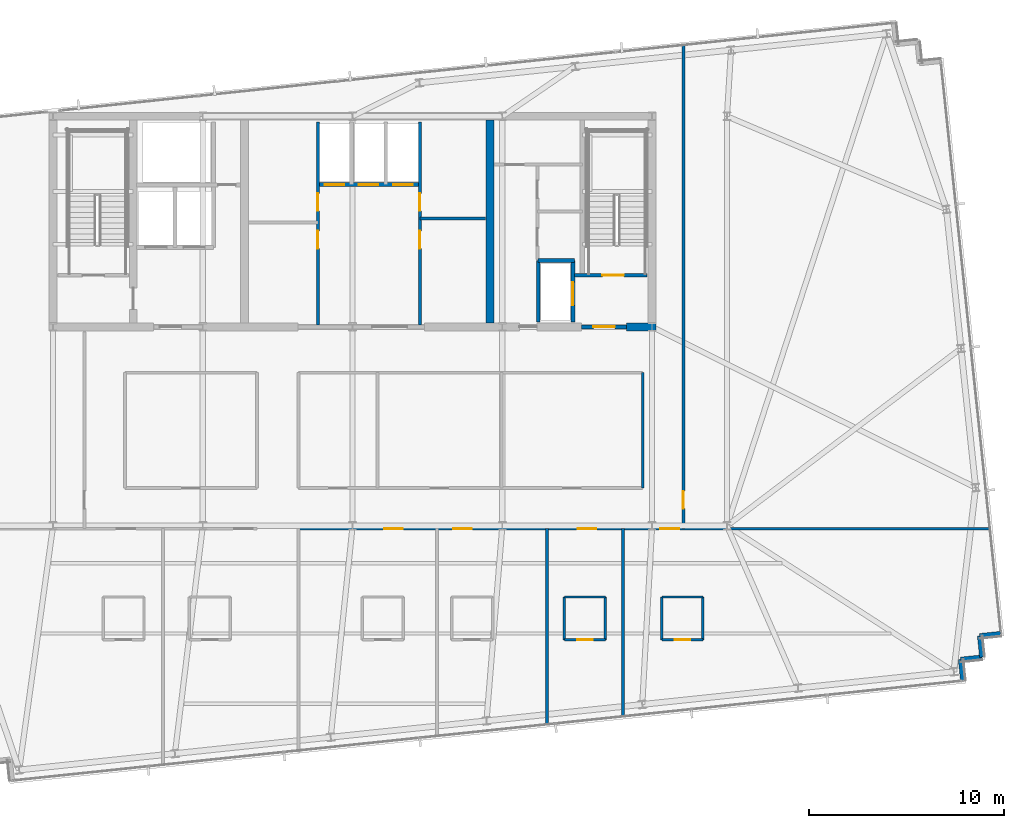
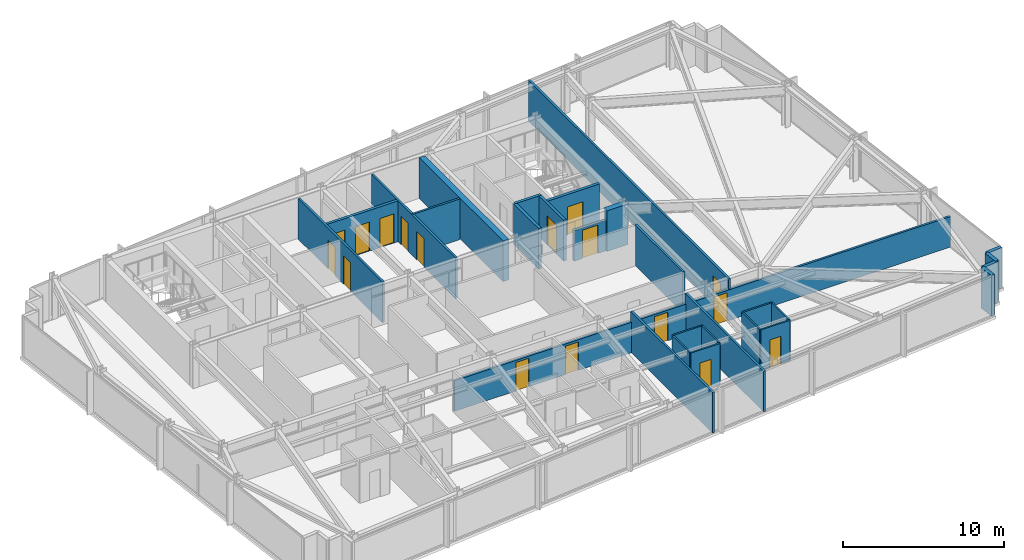
# One storey, part 28 of 33: 28 walls, 17 doors, 17 openings.
"""IFC4 building model written with IfcOpenShell, lengths in metres."""

from ifc_helpers import new_model, si_unit, direction, frame, frame_2d, origin, place, context, subcontext, project, spatial, rectangle, extrude, material, layer, layer_set, type_object, element, fill, save


model = new_model("IFC4")

# Units and contexts
model_context = context("Model", 3, precision=1e-05, world=origin(), true_north=direction((0.0, 1.0)))
body_context = subcontext(model_context, "Body", "Model", "MODEL_VIEW")
ifc_project = project(units=[si_unit("LENGTHUNIT", "METRE"), si_unit("AREAUNIT", "SQUARE_METRE"), si_unit("VOLUMEUNIT", "CUBIC_METRE"), si_unit("PLANEANGLEUNIT", "RADIAN"), si_unit("MASSUNIT", "GRAM", prefix="KILO")], contexts=[model_context])

# Site, building, storey
site_placement = place(None, origin())
site = spatial("IfcSite", under=ifc_project, at=site_placement, CompositionType="ELEMENT")
building_placement = place(site_placement, origin())
building = spatial("IfcBuilding", under=site, at=building_placement, Name="Yelkora Congress Tower", CompositionType="ELEMENT")
storey_placement = place(building_placement, frame((0.0, 0.0, 240.800048828125)))
storey = spatial("IfcBuildingStorey", under=building, at=storey_placement, Name="L67", CompositionType="ELEMENT", Elevation=240.800048828125)

# Walls
ifc_material_1 = material(Name="Concrete C50/60", Category="concrete")
ifc_layer_1 = layer(ifc_material_1, 0.39990234375)
ifc_layer_set_1 = layer_set([ifc_layer_1], Name="Concrete C50/60")
wall_type_1 = type_object("IfcWallType", Name="WALL-CORE-INT-400", PredefinedType="SHEAR", material=ifc_layer_set_1)
wall_1_placement = place(storey_placement, frame((52.449951171875, 35.39990234375, 0.0), z_axis=(0.0, 0.0, 1.0), x_axis=(1.0, 0.0, 0.0)))
element("IfcWall", 1, at=wall_1_placement, inside=storey, type_object=wall_type_1, Name="L67 Rear Core South-East Shear Wall B", PredefinedType="SHEAR", context=body_context, shape_type="SweptSolid", body=[
    extrude(rectangle(XDim=1.510009765625, YDim=0.39990234375, at=frame_2d((0.7548828125, 0.0))), origin(), (0.0, 0.0, 1.0), 3.079833984375),
])
wall_2_placement = place(storey_placement, frame((45.449951171875, 35.60009765625, 0.0), z_axis=(0.0, 0.0, 1.0), x_axis=(0.0, 1.0, 0.0)))
element("IfcWall", 2, at=wall_2_placement, inside=storey, type_object=wall_type_1, Name="L67 Rear Core Cross Shear Wall C3", PredefinedType="SHEAR", context=body_context, shape_type="SweptSolid", body=[
    extrude(rectangle(XDim=10.39990234375, YDim=0.39990234375, at=frame_2d((5.199951171875, 0.0))), origin(), (0.0, 0.0, 1.0), 3.079833984375),
])
ifc_material_2 = material(Name="Concrete C40/50", Category="concrete")
ifc_layer_2 = layer(ifc_material_2, 0.239990234375)
ifc_layer_set_2 = layer_set([ifc_layer_2], Name="Concrete C40/50")
wall_type_2 = type_object("IfcWallType", Name="WALL-EXT-LIMESTONE-240", PredefinedType="SOLIDWALL", material=ifc_layer_set_2)
for number, where, z_axis, x_axis, name in (
    (3, (71.654052734375, 19.67041015625, 0.0), (0.0, 0.0, 1.0), (-0.994521251134, -0.104534592565, 0.0), "L67 Serrated Corner Limestone Pier 16"),
    (4, (70.56005859375, 19.555419921875, 0.0), (0.0, 0.0, 1.0), (0.104534592565, -0.994521251134, 0.0), "L67 Serrated Corner Limestone Pier 17"),
    (5, (70.675048828125, 18.46142578125, 0.0), (0.0, 0.0, 1.0), (-0.994521251134, -0.104534592565, 0.0), "L67 Serrated Corner Limestone Pier 18"),
    (6, (69.5810546875, 18.346435546875, 0.0), (0.0, 0.0, 1.0), (0.104534592565, -0.994521251134, 0.0), "L67 Serrated Corner Limestone Pier 19"),
):
    element("IfcWall", number, at=place(storey_placement, frame(where, z_axis=z_axis, x_axis=x_axis)), inside=storey, type_object=wall_type_2, Name=name, PredefinedType="SOLIDWALL", context=body_context, shape_type="SweptSolid", body=[
        extrude(rectangle(XDim=1.10009765625, YDim=0.239990234375, at=frame_2d((0.550048828125, 0.0))), origin(), (0.0, 0.0, 1.0), 3.079833984375),
    ])
ifc_material_3 = material(Name="Moisture-resistant gypsum partition", Category="gypsum")
ifc_layer_3 = layer(ifc_material_3, 0.1201171875)
ifc_layer_set_3 = layer_set([ifc_layer_3], Name="Moisture-resistant gypsum partition")
wall_type_3 = type_object("IfcWallType", Name="WALL-INT-120-NR", PredefinedType="PARTITIONING", material=ifc_layer_set_3)
wall_3_placement = place(storey_placement, frame((49.261962890625, 21.550048828125, 0.0), z_axis=(0.0, 0.0, 1.0), x_axis=(1.0, 0.0, 0.0)))
element("IfcWall", 7, at=wall_3_placement, inside=storey, type_object=wall_type_3, Name="L67 Partition Wall 42", PredefinedType="PARTITIONING", context=body_context, shape_type="SweptSolid", body=[
    extrude(rectangle(XDim=2.10009765625, YDim=0.1201171875, at=frame_2d((1.050048828125, 0.0))), origin(), (0.0, 0.0, 1.0), 3.079833984375),
])
for number, where, z_axis, x_axis, name in (
    (8, (49.261962890625, 19.35009765625, 0.0), (0.0, 0.0, 1.0), (0.0, 1.0, 0.0), "L67 Partition Wall 43"),
    (9, (51.362060546875, 19.35009765625, 0.0), (0.0, 0.0, 1.0), (0.0, 1.0, 0.0), "L67 Partition Wall 44"),
):
    element("IfcWall", number, at=place(storey_placement, frame(where, z_axis=z_axis, x_axis=x_axis)), inside=storey, type_object=wall_type_3, Name=name, PredefinedType="PARTITIONING", context=body_context, shape_type="SweptSolid", body=[
        extrude(rectangle(XDim=2.199951171875, YDim=0.1201171875, at=frame_2d((1.10009765625, 0.0))), origin(), (0.0, 0.0, 1.0), 3.079833984375),
    ])

# Wall, opening, door
wall_4_placement = place(storey_placement, frame((49.261962890625, 19.35009765625, 0.0), z_axis=(0.0, 0.0, 1.0), x_axis=(1.0, 0.0, 0.0)))
wall_4 = element("IfcWall", 10, at=wall_4_placement, inside=storey, type_object=wall_type_3, Name="L67 Partition Wall 45", PredefinedType="PARTITIONING", context=body_context, shape_type="SweptSolid", body=[
    extrude(rectangle(XDim=2.10009765625, YDim=0.1201171875, at=frame_2d((1.050048828125, 0.0))), origin(), (0.0, 0.0, 1.0), 3.079833984375),
])
opening_1_placement = place(wall_4_placement, frame((0.64990234375, 0.0, 0.0)))
opening_1 = element("IfcOpeningElement", 11, at=opening_1_placement, cuts=wall_4, Name="Opening DR-080B", PredefinedType="OPENING", context=body_context, shape_type="SweptSolid", body=[
    extrude(rectangle(XDim=0.800048828125, YDim=2.10009765625, at=frame_2d((0.39990234375, 1.050048828125))), frame((0.0, 0.070068359375, 0.0), z_axis=(0.0, -1.0, 0.0), x_axis=(1.0, 0.0, 0.0)), (0.0, 0.0, 1.0), 0.14013671875),
])
ifc_material_4 = material(Name="Moisture-sealed en-suite timber door", Category="wood")
door_type_1 = type_object("IfcDoorType", Name="DOOR-BATH-800", OperationType="NOTDEFINED", PredefinedType="DOOR", material=ifc_material_4)
door_1_placement = place(opening_1_placement, origin())
door_1 = element("IfcDoor", 12, at=door_1_placement, inside=storey, type_object=door_type_1, Name="L67 En-suite Door 6", OperationType="SINGLE_SWING_RIGHT", OverallHeight=2.10009765625, OverallWidth=0.800048828125, PredefinedType="DOOR", context=body_context, shape_type="SweptSolid", body=[
    extrude(rectangle(XDim=0.800048828125, YDim=2.10009765625, at=frame_2d((0.39990234375, 1.050048828125))), frame((0.0, 0.02490234375, 0.0), z_axis=(0.0, -1.0, 0.0), x_axis=(1.0, 0.0, 0.0)), (0.0, 0.0, 1.0), 0.050048828125),
])
fill(opening_1, door_1)

# Walls
wall_5_placement = place(storey_placement, frame((54.260009765625, 21.550048828125, 0.0), z_axis=(0.0, 0.0, 1.0), x_axis=(1.0, 0.0, 0.0)))
element("IfcWall", 13, at=wall_5_placement, inside=storey, type_object=wall_type_3, Name="L67 Partition Wall 47", PredefinedType="PARTITIONING", context=body_context, shape_type="SweptSolid", body=[
    extrude(rectangle(XDim=2.10009765625, YDim=0.1201171875, at=frame_2d((1.050048828125, 0.0))), origin(), (0.0, 0.0, 1.0), 3.079833984375),
])
for number, where, z_axis, x_axis, name in (
    (14, (54.260009765625, 19.35009765625, 0.0), (0.0, 0.0, 1.0), (0.0, 1.0, 0.0), "L67 Partition Wall 48"),
    (15, (56.360107421875, 19.35009765625, 0.0), (0.0, 0.0, 1.0), (0.0, 1.0, 0.0), "L67 Partition Wall 49"),
):
    element("IfcWall", number, at=place(storey_placement, frame(where, z_axis=z_axis, x_axis=x_axis)), inside=storey, type_object=wall_type_3, Name=name, PredefinedType="PARTITIONING", context=body_context, shape_type="SweptSolid", body=[
        extrude(rectangle(XDim=2.199951171875, YDim=0.1201171875, at=frame_2d((1.10009765625, 0.0))), origin(), (0.0, 0.0, 1.0), 3.079833984375),
    ])

# Wall, opening, door
wall_6_placement = place(storey_placement, frame((54.260009765625, 19.35009765625, 0.0), z_axis=(0.0, 0.0, 1.0), x_axis=(1.0, 0.0, 0.0)))
wall_6 = element("IfcWall", 16, at=wall_6_placement, inside=storey, type_object=wall_type_3, Name="L67 Partition Wall 50", PredefinedType="PARTITIONING", context=body_context, shape_type="SweptSolid", body=[
    extrude(rectangle(XDim=2.10009765625, YDim=0.1201171875, at=frame_2d((1.050048828125, 0.0))), origin(), (0.0, 0.0, 1.0), 3.079833984375),
])
opening_2_placement = place(wall_6_placement, frame((0.64990234375, 0.0, 0.0)))
opening_2 = element("IfcOpeningElement", 17, at=opening_2_placement, cuts=wall_6, Name="Opening DR-080B", PredefinedType="OPENING", context=body_context, shape_type="SweptSolid", body=[
    extrude(rectangle(XDim=0.800048828125, YDim=2.10009765625, at=frame_2d((0.39990234375, 1.050048828125))), frame((0.0, 0.070068359375, 0.0), z_axis=(0.0, -1.0, 0.0), x_axis=(1.0, 0.0, 0.0)), (0.0, 0.0, 1.0), 0.14013671875),
])
door_2_placement = place(opening_2_placement, origin())
door_2 = element("IfcDoor", 18, at=door_2_placement, inside=storey, type_object=door_type_1, Name="L67 En-suite Door 7", OperationType="SINGLE_SWING_LEFT", OverallHeight=2.10009765625, OverallWidth=0.800048828125, PredefinedType="DOOR", context=body_context, shape_type="SweptSolid", body=[
    extrude(rectangle(XDim=0.800048828125, YDim=2.10009765625, at=frame_2d((0.39990234375, 1.050048828125))), frame((0.0, 0.02490234375, 0.0), z_axis=(0.0, -1.0, 0.0), x_axis=(1.0, 0.0, 0.0)), (0.0, 0.0, 1.0), 0.050048828125),
])
fill(opening_2, door_2)

ifc_material_5 = material(Name="Acoustic metal-stud gypsum partition", Category="gypsum")
ifc_layer_4 = layer(ifc_material_5, 0.14990234375)
ifc_layer_set_4 = layer_set([ifc_layer_4], Name="Acoustic metal-stud gypsum partition")
wall_type_4 = type_object("IfcWallType", Name="WALL-INT-150-NR", PredefinedType="PARTITIONING", material=ifc_layer_set_4)
wall_7_placement = place(storey_placement, frame((55.360107421875, 25.050048828125, 0.0), z_axis=(0.0, 0.0, 1.0), x_axis=(0.0, 1.0, 0.0)))
wall_7 = element("IfcWall", 19, at=wall_7_placement, inside=storey, type_object=wall_type_4, Name="L67 Partition Wall 55", PredefinedType="PARTITIONING", context=body_context, shape_type="SweptSolid", body=[
    extrude(rectangle(XDim=24.86279296875, YDim=0.14990234375, at=frame_2d((12.431396484375, 0.0))), origin(), (0.0, 0.0, 1.0), 3.079833984375),
])
opening_3_placement = place(wall_7_placement, frame((1.030029296875, 0.0, 0.0)))
opening_3 = element("IfcOpeningElement", 20, at=opening_3_placement, cuts=wall_7, Name="Opening DR-090N", PredefinedType="OPENING", context=body_context, shape_type="SweptSolid", body=[
    extrude(rectangle(XDim=0.89990234375, YDim=2.14990234375, at=frame_2d((0.449951171875, 1.074951171875))), frame((0.0, 0.0849609375, 0.0), z_axis=(0.0, -1.0, 0.0), x_axis=(1.0, 0.0, 0.0)), (0.0, 0.0, 1.0), 0.169921875),
])
ifc_material_6 = material(Name="Moisture-resistant laminate door leaf", Category="wood")
door_type_2 = type_object("IfcDoorType", Name="DOOR-INT-900", OperationType="NOTDEFINED", PredefinedType="DOOR", material=ifc_material_6)
door_3_placement = place(opening_3_placement, origin())
door_3 = element("IfcDoor", 21, at=door_3_placement, inside=storey, type_object=door_type_2, Name="L67 E Wing Door", OperationType="SINGLE_SWING_LEFT", OverallHeight=2.14990234375, OverallWidth=0.89990234375, PredefinedType="DOOR", context=body_context, shape_type="SweptSolid", body=[
    extrude(rectangle(XDim=0.89990234375, YDim=2.14990234375, at=frame_2d((0.449951171875, 1.074951171875))), frame((0.0, 0.02490234375, 0.0), z_axis=(0.0, -1.0, 0.0), x_axis=(1.0, 0.0, 0.0)), (0.0, 0.0, 1.0), 0.050048828125),
])
fill(opening_3, door_3)

# Wall
wall_8_placement = place(storey_placement, frame((53.280029296875, 27.1298828125, 0.0), z_axis=(0.0, 0.0, 1.0), x_axis=(0.0, 1.0, 0.0)))
element("IfcWall", 22, at=wall_8_placement, inside=storey, type_object=wall_type_4, Name="L67 Partition Wall 57", PredefinedType="PARTITIONING", context=body_context, shape_type="SweptSolid", body=[
    extrude(rectangle(XDim=5.920166015625, YDim=0.14990234375, at=frame_2d((2.9599609375, 0.0))), origin(), (0.0, 0.0, 1.0), 3.079833984375),
])

# Wall, openings, doors
ifc_material_7 = material(Name="Twin-stud fire-rated gypsum partition", Category="gypsum")
ifc_layer_5 = layer(ifc_material_7, 0.14990234375)
ifc_layer_set_5 = layer_set([ifc_layer_5], Name="Twin-stud fire-rated gypsum partition")
wall_type_5 = type_object("IfcWallType", Name="WALL-INT-150-R60", PredefinedType="PARTITIONING", material=ifc_layer_set_5)
wall_9_placement = place(storey_placement, frame((36.6201171875, 35.5, 0.0), z_axis=(0.0, 0.0, 1.0), x_axis=(0.0, 1.0, 0.0)))
wall_9 = element("IfcWall", 23, at=wall_9_placement, inside=storey, type_object=wall_type_5, Name="L67 Partition Wall 12", PredefinedType="PARTITIONING", context=body_context, shape_type="SweptSolid", body=[
    extrude(rectangle(XDim=10.419921875, YDim=0.14990234375, at=frame_2d((5.2099609375, 0.0))), origin(), (0.0, 0.0, 1.0), 3.079833984375),
])
opening_4_placement = place(wall_9_placement, frame((3.919921875, 0.0, 0.0)))
opening_4 = element("IfcOpeningElement", 24, at=opening_4_placement, cuts=wall_9, Name="Opening DR-090F6", PredefinedType="OPENING", context=body_context, shape_type="SweptSolid", body=[
    extrude(rectangle(XDim=0.89990234375, YDim=2.14990234375, at=frame_2d((0.449951171875, 1.074951171875))), frame((0.0, 0.0849609375, 0.0), z_axis=(0.0, -1.0, 0.0), x_axis=(1.0, 0.0, 0.0)), (0.0, 0.0, 1.0), 0.169921875),
])
opening_5_placement = place(wall_9_placement, frame((5.85009765625, 0.0, 0.0)))
opening_5 = element("IfcOpeningElement", 25, at=opening_5_placement, cuts=wall_9, Name="Opening DR-090F6", PredefinedType="OPENING", context=body_context, shape_type="SweptSolid", body=[
    extrude(rectangle(XDim=0.89990234375, YDim=2.14990234375, at=frame_2d((0.449951171875, 1.074951171875))), frame((0.0, 0.0849609375, 0.0), z_axis=(0.0, -1.0, 0.0), x_axis=(1.0, 0.0, 0.0)), (0.0, 0.0, 1.0), 0.169921875),
])
ifc_material_8 = material(Name="Painted steel riser fire door leaf", Category="steel")
door_type_3 = type_object("IfcDoorType", Name="DOOR-FD60-900", OperationType="NOTDEFINED", PredefinedType="DOOR", material=ifc_material_8)
door_4_placement = place(opening_4_placement, origin())
door_4 = element("IfcDoor", 26, at=door_4_placement, inside=storey, type_object=door_type_3, Name="L67 Telecom Store Door", OperationType="SINGLE_SWING_RIGHT", OverallHeight=2.14990234375, OverallWidth=0.89990234375, PredefinedType="DOOR", context=body_context, shape_type="SweptSolid", body=[
    extrude(rectangle(XDim=0.89990234375, YDim=2.14990234375, at=frame_2d((0.449951171875, 1.074951171875))), frame((0.0, 0.02490234375, 0.0), z_axis=(0.0, -1.0, 0.0), x_axis=(1.0, 0.0, 0.0)), (0.0, 0.0, 1.0), 0.050048828125),
])
fill(opening_4, door_4)
door_5_placement = place(opening_5_placement, origin())
door_5 = element("IfcDoor", 27, at=door_5_placement, inside=storey, type_object=door_type_3, Name="L67 Archive Store Door", OperationType="SINGLE_SWING_LEFT", OverallHeight=2.14990234375, OverallWidth=0.89990234375, PredefinedType="DOOR", context=body_context, shape_type="SweptSolid", body=[
    extrude(rectangle(XDim=0.89990234375, YDim=2.14990234375, at=frame_2d((0.449951171875, 1.074951171875))), frame((0.0, 0.02490234375, 0.0), z_axis=(0.0, -1.0, 0.0), x_axis=(1.0, 0.0, 0.0)), (0.0, 0.0, 1.0), 0.050048828125),
])
fill(opening_5, door_5)

# Wall
wall_10_placement = place(storey_placement, frame((41.85009765625, 40.949951171875, 0.0), z_axis=(0.0, 0.0, 1.0), x_axis=(1.0, 0.0, 0.0)))
element("IfcWall", 28, at=wall_10_placement, inside=storey, type_object=wall_type_5, Name="L67 Partition Wall 13", PredefinedType="PARTITIONING", context=body_context, shape_type="SweptSolid", body=[
    extrude(rectangle(XDim=3.369873046875, YDim=0.14990234375, at=frame_2d((1.68505859375, 0.0))), origin(), (0.0, 0.0, 1.0), 3.079833984375),
])

# Wall, openings, doors
wall_11_placement = place(storey_placement, frame((41.85009765625, 35.5, 0.0), z_axis=(0.0, 0.0, 1.0), x_axis=(0.0, 1.0, 0.0)))
wall_11 = element("IfcWall", 29, at=wall_11_placement, inside=storey, type_object=wall_type_5, Name="L67 Partition Wall 14", PredefinedType="PARTITIONING", context=body_context, shape_type="SweptSolid", body=[
    extrude(rectangle(XDim=10.419921875, YDim=0.14990234375, at=frame_2d((5.2099609375, 0.0))), origin(), (0.0, 0.0, 1.0), 3.079833984375),
])
opening_6_placement = place(wall_11_placement, frame((3.919921875, 0.0, 0.0)))
opening_6 = element("IfcOpeningElement", 30, at=opening_6_placement, cuts=wall_11, Name="Opening DR-090F6", PredefinedType="OPENING", context=body_context, shape_type="SweptSolid", body=[
    extrude(rectangle(XDim=0.89990234375, YDim=2.14990234375, at=frame_2d((0.449951171875, 1.074951171875))), frame((0.0, 0.0849609375, 0.0), z_axis=(0.0, -1.0, 0.0), x_axis=(1.0, 0.0, 0.0)), (0.0, 0.0, 1.0), 0.169921875),
])
opening_7_placement = place(wall_11_placement, frame((5.85009765625, 0.0, 0.0)))
opening_7 = element("IfcOpeningElement", 31, at=opening_7_placement, cuts=wall_11, Name="Opening DR-090F6", PredefinedType="OPENING", context=body_context, shape_type="SweptSolid", body=[
    extrude(rectangle(XDim=0.89990234375, YDim=2.14990234375, at=frame_2d((0.449951171875, 1.074951171875))), frame((0.0, 0.0849609375, 0.0), z_axis=(0.0, -1.0, 0.0), x_axis=(1.0, 0.0, 0.0)), (0.0, 0.0, 1.0), 0.169921875),
])
door_6_placement = place(opening_6_placement, origin())
door_6 = element("IfcDoor", 32, at=door_6_placement, inside=storey, type_object=door_type_3, Name="L67 High-Zone BMS Door", OperationType="SINGLE_SWING_RIGHT", OverallHeight=2.14990234375, OverallWidth=0.89990234375, PredefinedType="DOOR", context=body_context, shape_type="SweptSolid", body=[
    extrude(rectangle(XDim=0.89990234375, YDim=2.14990234375, at=frame_2d((0.449951171875, 1.074951171875))), frame((0.0, 0.02490234375, 0.0), z_axis=(0.0, -1.0, 0.0), x_axis=(1.0, 0.0, 0.0)), (0.0, 0.0, 1.0), 0.050048828125),
])
fill(opening_6, door_6)
door_7_placement = place(opening_7_placement, origin())
door_7 = element("IfcDoor", 33, at=door_7_placement, inside=storey, type_object=door_type_3, Name="L67 Linen Store Door", OperationType="SINGLE_SWING_LEFT", OverallHeight=2.14990234375, OverallWidth=0.89990234375, PredefinedType="DOOR", context=body_context, shape_type="SweptSolid", body=[
    extrude(rectangle(XDim=0.89990234375, YDim=2.14990234375, at=frame_2d((0.449951171875, 1.074951171875))), frame((0.0, 0.02490234375, 0.0), z_axis=(0.0, -1.0, 0.0), x_axis=(1.0, 0.0, 0.0)), (0.0, 0.0, 1.0), 0.050048828125),
])
fill(opening_7, door_7)

# Walls
wall_12_placement = place(storey_placement, frame((48.363037109375, 14.949951171875, 0.0), z_axis=(0.0, 0.0, 1.0), x_axis=(0.0, 1.0, 0.0)))
element("IfcWall", 34, at=wall_12_placement, inside=storey, type_object=wall_type_5, Name="L67 Partition Wall 46", PredefinedType="PARTITIONING", context=body_context, shape_type="SweptSolid", body=[
    extrude(rectangle(XDim=10.1201171875, YDim=0.14990234375, at=frame_2d((5.06005859375, 0.0))), origin(), (0.0, 0.0, 1.0), 3.079833984375),
])
wall_13_placement = place(storey_placement, frame((52.260986328125, 15.359619140625, 0.0), z_axis=(0.0, 0.0, 1.0), x_axis=(0.0, 1.0, 0.0)))
element("IfcWall", 35, at=wall_13_placement, inside=storey, type_object=wall_type_5, Name="L67 Partition Wall 51", PredefinedType="PARTITIONING", context=body_context, shape_type="SweptSolid", body=[
    extrude(rectangle(XDim=9.71044921875, YDim=0.14990234375, at=frame_2d((4.855224609375, 0.0))), origin(), (0.0, 0.0, 1.0), 3.079833984375),
])

# Wall, openings, doors
wall_14_placement = place(storey_placement, frame((35.6201171875, 25.050048828125, 0.0), z_axis=(0.0, 0.0, 1.0), x_axis=(1.0, 0.0, 0.0)))
wall_14 = element("IfcWall", 36, at=wall_14_placement, inside=storey, type_object=wall_type_5, Name="L67 South Spine Wall East", PredefinedType="PARTITIONING", context=body_context, shape_type="SweptSolid", body=[
    extrude(rectangle(XDim=35.52880859375, YDim=0.14990234375, at=frame_2d((17.764404296875, 0.0))), origin(), (0.0, 0.0, 1.0), 2.31298828125),
])
opening_8_placement = place(wall_14_placement, frame((4.3994140625, 0.0, 0.0)))
opening_8 = element("IfcOpeningElement", 37, at=opening_8_placement, cuts=wall_14, Name="Opening DR-095F6", PredefinedType="OPENING", context=body_context, shape_type="SweptSolid", body=[
    extrude(rectangle(XDim=0.949951171875, YDim=2.14990234375, at=frame_2d((0.47509765625, 1.074951171875))), frame((0.0, 0.0849609375, 0.0), z_axis=(0.0, -1.0, 0.0), x_axis=(1.0, 0.0, 0.0)), (0.0, 0.0, 1.0), 0.169921875),
])
opening_9_placement = place(wall_14_placement, frame((7.93701171875, 0.0, 0.0)))
opening_9 = element("IfcOpeningElement", 38, at=opening_9_placement, cuts=wall_14, Name="Opening DR-095F6", PredefinedType="OPENING", context=body_context, shape_type="SweptSolid", body=[
    extrude(rectangle(XDim=0.949951171875, YDim=2.14990234375, at=frame_2d((0.47509765625, 1.074951171875))), frame((0.0, 0.0849609375, 0.0), z_axis=(0.0, -1.0, 0.0), x_axis=(1.0, 0.0, 0.0)), (0.0, 0.0, 1.0), 0.169921875),
])
opening_10_placement = place(wall_14_placement, frame((14.33203125, 0.0, 0.0)))
opening_10 = element("IfcOpeningElement", 39, at=opening_10_placement, cuts=wall_14, Name="Opening DR-095F6", PredefinedType="OPENING", context=body_context, shape_type="SweptSolid", body=[
    extrude(rectangle(XDim=0.949951171875, YDim=2.14990234375, at=frame_2d((0.47509765625, 1.074951171875))), frame((0.0, 0.0849609375, 0.0), z_axis=(0.0, -1.0, 0.0), x_axis=(1.0, 0.0, 0.0)), (0.0, 0.0, 1.0), 0.169921875),
])
opening_11_placement = place(wall_14_placement, frame((18.570068359375, 0.0, 0.0)))
opening_11 = element("IfcOpeningElement", 40, at=opening_11_placement, cuts=wall_14, Name="Opening DR-095F6", PredefinedType="OPENING", context=body_context, shape_type="SweptSolid", body=[
    extrude(rectangle(XDim=0.949951171875, YDim=2.14990234375, at=frame_2d((0.47509765625, 1.074951171875))), frame((0.0, 0.0849609375, 0.0), z_axis=(0.0, -1.0, 0.0), x_axis=(1.0, 0.0, 0.0)), (0.0, 0.0, 1.0), 0.169921875),
])
ifc_material_9 = material(Name="Acoustic oak-veneer fire door leaf", Category="wood")
door_type_4 = type_object("IfcDoorType", Name="DOOR-FD60-950", OperationType="NOTDEFINED", PredefinedType="DOOR", material=ifc_material_9)
door_8_placement = place(opening_8_placement, origin())
door_8 = element("IfcDoor", 41, at=door_8_placement, inside=storey, type_object=door_type_4, Name="L67 Diplomatic Suite 04 Entry Door", OperationType="SINGLE_SWING_RIGHT", OverallHeight=2.14990234375, OverallWidth=0.949951171875, PredefinedType="DOOR", context=body_context, shape_type="SweptSolid", body=[
    extrude(rectangle(XDim=0.949951171875, YDim=2.14990234375, at=frame_2d((0.47509765625, 1.074951171875))), frame((0.0, 0.02490234375, 0.0), z_axis=(0.0, -1.0, 0.0), x_axis=(1.0, 0.0, 0.0)), (0.0, 0.0, 1.0), 0.050048828125),
])
fill(opening_8, door_8)
door_9_placement = place(opening_9_placement, origin())
door_9 = element("IfcDoor", 42, at=door_9_placement, inside=storey, type_object=door_type_4, Name="L67 Diplomatic Suite 05 Entry Door", OperationType="SINGLE_SWING_LEFT", OverallHeight=2.14990234375, OverallWidth=0.949951171875, PredefinedType="DOOR", context=body_context, shape_type="SweptSolid", body=[
    extrude(rectangle(XDim=0.949951171875, YDim=2.14990234375, at=frame_2d((0.47509765625, 1.074951171875))), frame((0.0, 0.02490234375, 0.0), z_axis=(0.0, -1.0, 0.0), x_axis=(1.0, 0.0, 0.0)), (0.0, 0.0, 1.0), 0.050048828125),
])
fill(opening_9, door_9)
door_10_placement = place(opening_10_placement, origin())
door_10 = element("IfcDoor", 43, at=door_10_placement, inside=storey, type_object=door_type_4, Name="L67 Diplomatic Suite 06 Entry Door", OperationType="SINGLE_SWING_RIGHT", OverallHeight=2.14990234375, OverallWidth=0.949951171875, PredefinedType="DOOR", context=body_context, shape_type="SweptSolid", body=[
    extrude(rectangle(XDim=0.949951171875, YDim=2.14990234375, at=frame_2d((0.47509765625, 1.074951171875))), frame((0.0, 0.02490234375, 0.0), z_axis=(0.0, -1.0, 0.0), x_axis=(1.0, 0.0, 0.0)), (0.0, 0.0, 1.0), 0.050048828125),
])
fill(opening_10, door_10)
door_11_placement = place(opening_11_placement, origin())
door_11 = element("IfcDoor", 44, at=door_11_placement, inside=storey, type_object=door_type_4, Name="L67 Diplomatic Suite 07 Entry Door", OperationType="SINGLE_SWING_LEFT", OverallHeight=2.14990234375, OverallWidth=0.949951171875, PredefinedType="DOOR", context=body_context, shape_type="SweptSolid", body=[
    extrude(rectangle(XDim=0.949951171875, YDim=2.14990234375, at=frame_2d((0.47509765625, 1.074951171875))), frame((0.0, 0.02490234375, 0.0), z_axis=(0.0, -1.0, 0.0), x_axis=(1.0, 0.0, 0.0)), (0.0, 0.0, 1.0), 0.050048828125),
])
fill(opening_11, door_11)

ifc_material_10 = material(Name="Autoclaved aerated concrete blockwork", Category="masonry")
ifc_layer_6 = layer(ifc_material_10, 0.199951171875)
ifc_layer_set_6 = layer_set([ifc_layer_6], Name="Autoclaved aerated concrete blockwork")
wall_type_6 = type_object("IfcWallType", Name="WALL-INT-200-R120", PredefinedType="PARTITIONING", material=ifc_layer_set_6)
wall_15_placement = place(storey_placement, frame((36.60009765625, 42.699951171875, 0.0), z_axis=(0.0, 0.0, 1.0), x_axis=(1.0, 0.0, 0.0)))
wall_15 = element("IfcWall", 45, at=wall_15_placement, inside=storey, type_object=wall_type_6, Name="L67 Partition Wall 8", PredefinedType="PARTITIONING", context=body_context, shape_type="SweptSolid", body=[
    extrude(rectangle(XDim=5.25, YDim=0.199951171875, at=frame_2d((2.625, 0.0))), origin(), (0.0, 0.0, 1.0), 3.079833984375),
])
opening_12_placement = place(wall_15_placement, frame((0.375, 0.0, 0.0)))
opening_12 = element("IfcOpeningElement", 46, at=opening_12_placement, cuts=wall_15, Name="Opening LD-PS10", PredefinedType="OPENING", context=body_context, shape_type="SweptSolid", body=[
    extrude(rectangle(XDim=1.0, YDim=2.199951171875, at=frame_2d((0.5, 1.10009765625))), frame((0.0, 0.10986328125, 0.0), z_axis=(0.0, -1.0, 0.0), x_axis=(1.0, 0.0, 0.0)), (0.0, 0.0, 1.0), 0.219970703125),
])
opening_13_placement = place(wall_15_placement, frame((2.125, 0.0, 0.0)))
opening_13 = element("IfcOpeningElement", 47, at=opening_13_placement, cuts=wall_15, Name="Opening LD-PS10", PredefinedType="OPENING", context=body_context, shape_type="SweptSolid", body=[
    extrude(rectangle(XDim=1.0, YDim=2.199951171875, at=frame_2d((0.5, 1.10009765625))), frame((0.0, 0.10986328125, 0.0), z_axis=(0.0, -1.0, 0.0), x_axis=(1.0, 0.0, 0.0)), (0.0, 0.0, 1.0), 0.219970703125),
])
opening_14_placement = place(wall_15_placement, frame((3.875, 0.0, 0.0)))
opening_14 = element("IfcOpeningElement", 48, at=opening_14_placement, cuts=wall_15, Name="Opening LD-PS10", PredefinedType="OPENING", context=body_context, shape_type="SweptSolid", body=[
    extrude(rectangle(XDim=1.0, YDim=2.199951171875, at=frame_2d((0.5, 1.10009765625))), frame((0.0, 0.10986328125, 0.0), z_axis=(0.0, -1.0, 0.0), x_axis=(1.0, 0.0, 0.0)), (0.0, 0.0, 1.0), 0.219970703125),
])
ifc_material_11 = material(Name="Champagne stainless steel landing door", Category="steel")
door_type_5 = type_object("IfcDoorType", Name="DOOR-LIFT-PAS-1000", OperationType="DOUBLE_DOOR_SLIDING", PredefinedType="DOOR", material=ifc_material_11)
door_12_placement = place(opening_12_placement, origin())
door_12 = element("IfcDoor", 49, at=door_12_placement, inside=storey, type_object=door_type_5, Name="Lift Landing Door LF-P9 L67", OperationType="DOUBLE_DOOR_SLIDING", OverallHeight=2.199951171875, OverallWidth=1.0, PredefinedType="DOOR", context=body_context, shape_type="SweptSolid", body=[
    extrude(rectangle(XDim=1.0, YDim=2.199951171875, at=frame_2d((0.5, 1.10009765625))), frame((0.0, 0.02490234375, 0.0), z_axis=(0.0, -1.0, 0.0), x_axis=(1.0, 0.0, 0.0)), (0.0, 0.0, 1.0), 0.050048828125),
])
fill(opening_12, door_12)
door_13_placement = place(opening_13_placement, origin())
door_13 = element("IfcDoor", 50, at=door_13_placement, inside=storey, type_object=door_type_5, Name="Lift Landing Door LF-P10 L67", OperationType="DOUBLE_DOOR_SLIDING", OverallHeight=2.199951171875, OverallWidth=1.0, PredefinedType="DOOR", context=body_context, shape_type="SweptSolid", body=[
    extrude(rectangle(XDim=1.0, YDim=2.199951171875, at=frame_2d((0.5, 1.10009765625))), frame((0.0, 0.02490234375, 0.0), z_axis=(0.0, -1.0, 0.0), x_axis=(1.0, 0.0, 0.0)), (0.0, 0.0, 1.0), 0.050048828125),
])
fill(opening_13, door_13)
door_14_placement = place(opening_14_placement, origin())
door_14 = element("IfcDoor", 51, at=door_14_placement, inside=storey, type_object=door_type_5, Name="Lift Landing Door LF-P11 L67", OperationType="DOUBLE_DOOR_SLIDING", OverallHeight=2.199951171875, OverallWidth=1.0, PredefinedType="DOOR", context=body_context, shape_type="SweptSolid", body=[
    extrude(rectangle(XDim=1.0, YDim=2.199951171875, at=frame_2d((0.5, 1.10009765625))), frame((0.0, 0.02490234375, 0.0), z_axis=(0.0, -1.0, 0.0), x_axis=(1.0, 0.0, 0.0)), (0.0, 0.0, 1.0), 0.050048828125),
])
fill(opening_14, door_14)

# Wall, opening, door
wall_16_placement = place(storey_placement, frame((49.780029296875, 38.050048828125, 0.0), z_axis=(0.0, 0.0, 1.0), x_axis=(1.0, 0.0, 0.0)))
wall_16 = element("IfcWall", 52, at=wall_16_placement, inside=storey, type_object=wall_type_6, Name="L67 Stair ST-02 Enclosure Wall", PredefinedType="PARTITIONING", context=body_context, shape_type="SweptSolid", body=[
    extrude(rectangle(XDim=3.719970703125, YDim=0.199951171875, at=frame_2d((1.85986328125, 0.0))), origin(), (0.0, 0.0, 1.0), 3.079833984375),
])
opening_15_placement = place(wall_16_placement, frame((1.436279296875, 0.0, 0.0)))
opening_15 = element("IfcOpeningElement", 53, at=opening_15_placement, cuts=wall_16, Name="Opening DR-110F9", PredefinedType="OPENING", context=body_context, shape_type="SweptSolid", body=[
    extrude(rectangle(XDim=1.10009765625, YDim=2.14990234375, at=frame_2d((0.550048828125, 1.074951171875))), frame((0.0, 0.10986328125, 0.0), z_axis=(0.0, -1.0, 0.0), x_axis=(1.0, 0.0, 0.0)), (0.0, 0.0, 1.0), 0.219970703125),
])
ifc_material_12 = material(Name="Galvanised steel fire door leaf", Category="steel")
door_type_6 = type_object("IfcDoorType", Name="DOOR-FD90-1100", OperationType="NOTDEFINED", PredefinedType="DOOR", material=ifc_material_12)
door_15_placement = place(opening_15_placement, origin())
door_15 = element("IfcDoor", 54, at=door_15_placement, inside=storey, type_object=door_type_6, Name="L67 Stair ST-02 Entry Door", OperationType="SINGLE_SWING_RIGHT", OverallHeight=2.14990234375, OverallWidth=1.10009765625, PredefinedType="DOOR", context=body_context, shape_type="SweptSolid", body=[
    extrude(rectangle(XDim=1.10009765625, YDim=2.14990234375, at=frame_2d((0.550048828125, 1.074951171875))), frame((0.0, 0.02490234375, 0.0), z_axis=(0.0, -1.0, 0.0), x_axis=(1.0, 0.0, 0.0)), (0.0, 0.0, 1.0), 0.050048828125),
])
fill(opening_15, door_15)

wall_17_placement = place(storey_placement, frame((50.14990234375, 35.39990234375, 0.0), z_axis=(0.0, 0.0, 1.0), x_axis=(1.0, 0.0, 0.0)))
wall_17 = element("IfcWall", 55, at=wall_17_placement, inside=storey, type_object=wall_type_6, Name="L67 Partition Wall 16", PredefinedType="PARTITIONING", context=body_context, shape_type="SweptSolid", body=[
    extrude(rectangle(XDim=2.300048828125, YDim=0.199951171875, at=frame_2d((1.14990234375, 0.0))), origin(), (0.0, 0.0, 1.0), 2.31298828125),
])
opening_16_placement = place(wall_17_placement, frame((0.60009765625, 0.0, 0.0)))
opening_16 = element("IfcOpeningElement", 56, at=opening_16_placement, cuts=wall_17, Name="Opening DR-110F9", PredefinedType="OPENING", context=body_context, shape_type="SweptSolid", body=[
    extrude(rectangle(XDim=1.10009765625, YDim=2.14990234375, at=frame_2d((0.550048828125, 1.074951171875))), frame((0.0, 0.10986328125, 0.0), z_axis=(0.0, -1.0, 0.0), x_axis=(1.0, 0.0, 0.0)), (0.0, 0.0, 1.0), 0.219970703125),
])
door_16_placement = place(opening_16_placement, origin())
door_16 = element("IfcDoor", 57, at=door_16_placement, inside=storey, type_object=door_type_6, Name="L67 East Stair Lobby Door", OperationType="SINGLE_SWING_LEFT", OverallHeight=2.14990234375, OverallWidth=1.10009765625, PredefinedType="DOOR", context=body_context, shape_type="SweptSolid", body=[
    extrude(rectangle(XDim=1.10009765625, YDim=2.14990234375, at=frame_2d((0.550048828125, 1.074951171875))), frame((0.0, 0.02490234375, 0.0), z_axis=(0.0, -1.0, 0.0), x_axis=(1.0, 0.0, 0.0)), (0.0, 0.0, 1.0), 0.050048828125),
])
fill(opening_16, door_16)

wall_18_placement = place(storey_placement, frame((49.699951171875, 35.64990234375, 0.0), z_axis=(0.0, 0.0, 1.0), x_axis=(0.0, 1.0, 0.0)))
wall_18 = element("IfcWall", 58, at=wall_18_placement, inside=storey, type_object=wall_type_6, Name="L67 Partition Wall 17", PredefinedType="PARTITIONING", context=body_context, shape_type="SweptSolid", body=[
    extrude(rectangle(XDim=3.150146484375, YDim=0.199951171875, at=frame_2d((1.5751953125, 0.0))), origin(), (0.0, 0.0, 1.0), 3.079833984375),
])
opening_17_placement = place(wall_18_placement, frame((0.85009765625, 0.0, 0.0)))
opening_17 = element("IfcOpeningElement", 59, at=opening_17_placement, cuts=wall_18, Name="Opening LD-SV12", PredefinedType="OPENING", context=body_context, shape_type="SweptSolid", body=[
    extrude(rectangle(XDim=1.199951171875, YDim=2.199951171875, at=frame_2d((0.60009765625, 1.10009765625))), frame((0.0, 0.10986328125, 0.0), z_axis=(0.0, -1.0, 0.0), x_axis=(1.0, 0.0, 0.0)), (0.0, 0.0, 1.0), 0.219970703125),
])
ifc_material_13 = material(Name="Heavy-duty stainless steel landing door", Category="steel")
door_type_7 = type_object("IfcDoorType", Name="DOOR-LIFT-SRV-1200", OperationType="DOUBLE_DOOR_SLIDING", PredefinedType="DOOR", material=ifc_material_13)
door_17_placement = place(opening_17_placement, origin())
door_17 = element("IfcDoor", 60, at=door_17_placement, inside=storey, type_object=door_type_7, Name="Service Lift Landing Door LF-SV1 L67", OperationType="DOUBLE_DOOR_SLIDING", OverallHeight=2.199951171875, OverallWidth=1.199951171875, PredefinedType="DOOR", context=body_context, shape_type="SweptSolid", body=[
    extrude(rectangle(XDim=1.199951171875, YDim=2.199951171875, at=frame_2d((0.60009765625, 1.10009765625))), frame((0.0, 0.02490234375, 0.0), z_axis=(0.0, -1.0, 0.0), x_axis=(1.0, 0.0, 0.0)), (0.0, 0.0, 1.0), 0.050048828125),
])
fill(opening_17, door_17)

# Walls
wall_19_placement = place(storey_placement, frame((47.919921875, 35.64990234375, 0.0), z_axis=(0.0, 0.0, 1.0), x_axis=(0.0, 1.0, 0.0)))
element("IfcWall", 61, at=wall_19_placement, inside=storey, type_object=wall_type_6, Name="L67 Partition Wall 18", PredefinedType="PARTITIONING", context=body_context, shape_type="SweptSolid", body=[
    extrude(rectangle(XDim=3.150146484375, YDim=0.199951171875, at=frame_2d((1.5751953125, 0.0))), origin(), (0.0, 0.0, 1.0), 3.079833984375),
])
wall_20_placement = place(storey_placement, frame((47.919921875, 38.800048828125, 0.0), z_axis=(0.0, 0.0, 1.0), x_axis=(1.0, 0.0, 0.0)))
element("IfcWall", 62, at=wall_20_placement, inside=storey, type_object=wall_type_6, Name="L67 Partition Wall 19", PredefinedType="PARTITIONING", context=body_context, shape_type="SweptSolid", body=[
    extrude(rectangle(XDim=1.860107421875, YDim=0.199951171875, at=frame_2d((0.93017578125, 0.0))), origin(), (0.0, 0.0, 1.0), 3.079833984375),
])

save(model, "model.ifc")
